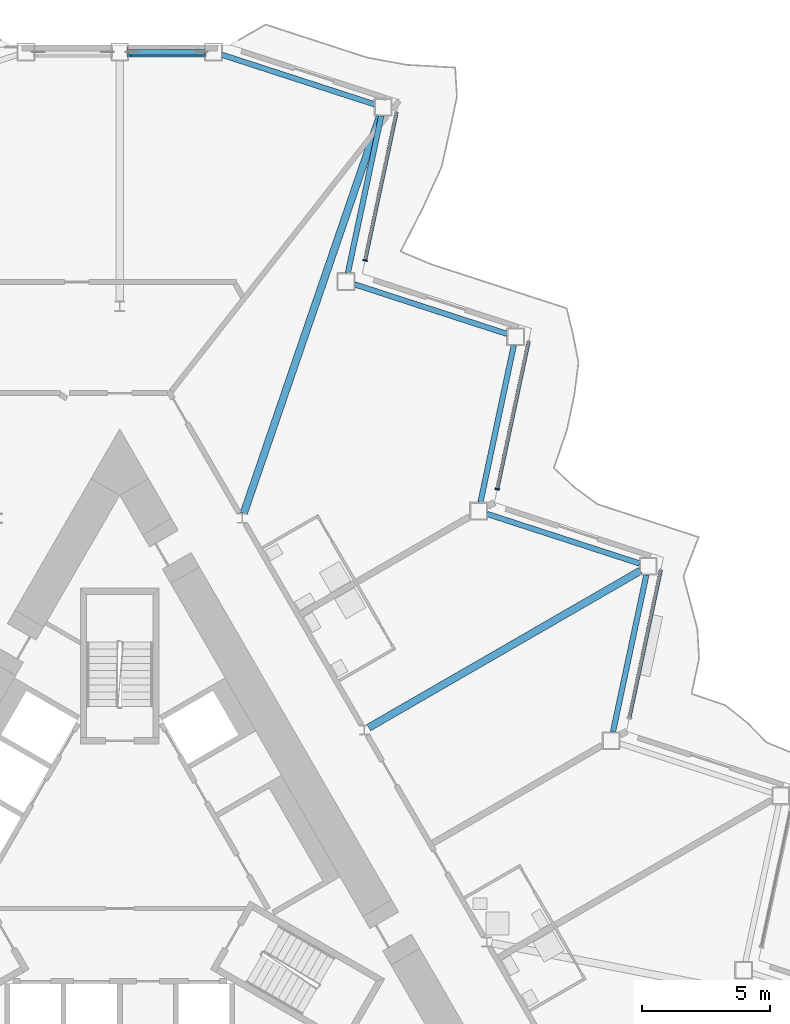
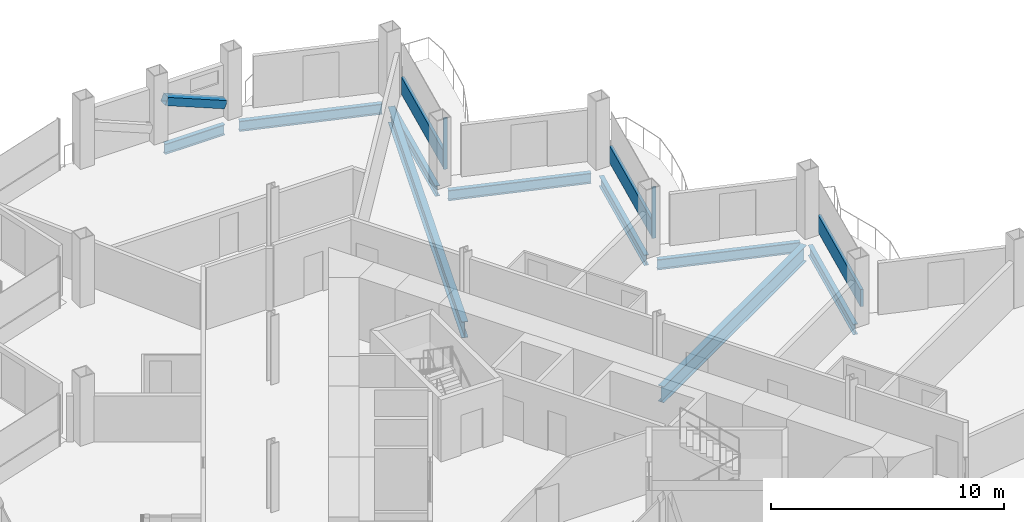
# One storey, part 9 of 24: 9 beams, 6 members, 3 elements without a shape of their own.
"""IFC4 building model written with IfcOpenShell, lengths in metres."""

import ifcopenshell
import ifcopenshell.guid

model = None  # the IFC model being written
_history = None  # IfcOwnerHistory: only IFC2X3 demands one
_inside = {}  # id of a spatial element -> (the spatial element, [elements in it])
_under = {}  # id of a project, library or spatial element -> (it, [spatial elements below it])
_declared = {}  # id of a project -> (the project, [libraries it declares])
_typed = {}  # id of a type object -> (the type object, [elements of that type])
_made_of = {}  # id of a material, layer set ... -> (it, [elements and type objects made of it])


def new_model(schema):
    """Start an empty IFC model of exactly this schema.

    Asked for "IFC4X3", IfcOpenShell would pick the latest addendum, in which some entities
    have other attributes; the version numbers below select the first issue.
    IFC2X3 requires an IfcOwnerHistory on every rooted entity: one is made here for all.
    """
    global model, _history
    if schema == "IFC4X3":
        model = ifcopenshell.file(schema_version=(4, 3, 0, 0))
    else:
        model = ifcopenshell.file(schema=schema)
    _inside.clear()
    _under.clear()
    _declared.clear()
    _typed.clear()
    _made_of.clear()
    _history = None
    if model.schema == "IFC2X3":
        org = make("IfcOrganization", Name="unknown")
        user = make(
            "IfcPersonAndOrganization",
            ThePerson=make("IfcPerson", FamilyName="unknown"),
            TheOrganization=org,
        )
        app = make(
            "IfcApplication",
            ApplicationDeveloper=org,
            Version="unknown",
            ApplicationFullName="unknown",
            ApplicationIdentifier="unknown",
        )
        _history = make(
            "IfcOwnerHistory",
            OwningUser=user,
            OwningApplication=app,
            ChangeAction="ADDED",
            CreationDate=0,
        )
    return model


def make(cls, **values):
    """One entity of the class cls with the attributes given. An attribute that is None is left unset."""
    return model.create_entity(
        cls, **{name: value for name, value in values.items() if value is not None}
    )


def rooted(cls, **values):
    """An entity with a GlobalId (a new one), such as an element, a storey or a relation."""
    return make(cls, GlobalId=ifcopenshell.guid.new(), OwnerHistory=_history, **values)


def si_unit(unit_type, name, prefix=None):
    """IfcSIUnit, for example si_unit("LENGTHUNIT", "METRE", prefix="MILLI")."""
    return make("IfcSIUnit", UnitType=unit_type, Prefix=prefix, Name=name)


def assignment(units):
    """IfcUnitAssignment: the units of a project."""
    return None if units is None else make("IfcUnitAssignment", Units=units)


def point(xyz):
    """IfcCartesianPoint."""
    return None if xyz is None else make("IfcCartesianPoint", Coordinates=xyz)


def direction(xyz):
    """IfcDirection."""
    return None if xyz is None else make("IfcDirection", DirectionRatios=xyz)


def frame(location, z_axis=None, x_axis=None):
    """IfcAxis2Placement3D, a coordinate frame: its origin and axes. An axis left out is left unset."""
    return make(
        "IfcAxis2Placement3D",
        Location=point(location),
        Axis=direction(z_axis),
        RefDirection=direction(x_axis),
    )


def frame_2d(location, x_axis=None):
    """IfcAxis2Placement2D, a coordinate frame in the plane: its origin and x axis."""
    return make(
        "IfcAxis2Placement2D", Location=point(location), RefDirection=direction(x_axis)
    )


def origin():
    """The frame at (0, 0, 0) with its axes left unset."""
    return frame((0.0, 0.0, 0.0))


def origin_2d():
    """The frame at (0, 0) in the plane with its x axis left unset."""
    return frame_2d((0.0, 0.0))


def place(relative_to, where):
    """IfcLocalPlacement: puts the frame where relative to a parent placement (None: the world)."""
    return make(
        "IfcLocalPlacement", PlacementRelTo=relative_to, RelativePlacement=where
    )


def context(
    kind, dimensions, precision=None, world=None, true_north=None, identifier=None
):
    """IfcGeometricRepresentationContext, for example the 3D "Model" context."""
    return make(
        "IfcGeometricRepresentationContext",
        ContextIdentifier=identifier,
        ContextType=kind,
        CoordinateSpaceDimension=dimensions,
        Precision=precision,
        WorldCoordinateSystem=world,
        TrueNorth=true_north,
    )


def subcontext(parent, identifier, kind, view, scale=None):
    """IfcGeometricRepresentationSubContext, for example "Body" below "Model"."""
    return make(
        "IfcGeometricRepresentationSubContext",
        ContextIdentifier=identifier,
        ContextType=kind,
        ParentContext=parent,
        TargetScale=scale,
        TargetView=view,
    )


def project(units=None, contexts=None):
    """IfcProject with its units and contexts."""
    return rooted(
        "IfcProject",
        Name="project",
        RepresentationContexts=contexts,
        UnitsInContext=assignment(units),
    )


def spatial(cls, under=None, at=None, **own):
    """A site, building, storey or space (cls), placed at a placement, below another one or the project."""
    s = rooted(cls, ObjectPlacement=at, **own)
    if under is not None:
        _under.setdefault(under.id(), (under, []))[1].append(s)
    return s


def profile(cls, at=None, kind="AREA", **sizes):
    """A parametric profile (cls). Its sizes go by their IFC names, for example OverallWidth=200.0."""
    return make(cls, ProfileType=kind, Position=at, **sizes)


def rectangle(**sizes):
    """IfcRectangleProfileDef."""
    return profile("IfcRectangleProfileDef", **sizes)


def hollow_rectangle(**sizes):
    """IfcRectangleHollowProfileDef."""
    return profile("IfcRectangleHollowProfileDef", **sizes)


def i_section(**sizes):
    """IfcIShapeProfileDef."""
    return profile("IfcIShapeProfileDef", **sizes)


def extrude(swept, where, along, depth):
    """IfcExtrudedAreaSolid: the profile swept, set in the frame where, extruded along a direction by depth."""
    return make(
        "IfcExtrudedAreaSolid",
        SweptArea=swept,
        Position=where,
        ExtrudedDirection=direction(along),
        Depth=depth,
    )


def shape(context_of_items, identifier, shape_type, items):
    """IfcShapeRepresentation: the items that make up one representation, for example the "Body"."""
    return make(
        "IfcShapeRepresentation",
        ContextOfItems=context_of_items,
        RepresentationIdentifier=identifier,
        RepresentationType=shape_type,
        Items=items,
    )


def material(Name=None, Category=None):
    """IfcMaterial."""
    return make("IfcMaterial", Name=Name, Category=Category)


def layer(
    of_material, thickness, ventilated=None, Name=None, Category=None, Priority=None
):
    """IfcMaterialLayer: one layer of a wall or slab, of a material (None: an air gap)."""
    return make(
        "IfcMaterialLayer",
        Material=of_material,
        LayerThickness=thickness,
        IsVentilated=ventilated,
        Name=Name,
        Category=Category,
        Priority=Priority,
    )


def layer_set(layers, Name=None):
    """IfcMaterialLayerSet."""
    return make("IfcMaterialLayerSet", MaterialLayers=layers, LayerSetName=Name)


def material_profile(
    of_material, cross_section, Name=None, Category=None, Priority=None
):
    """IfcMaterialProfile: a cross section and its material."""
    return make(
        "IfcMaterialProfile",
        Name=Name,
        Material=of_material,
        Profile=cross_section,
        Priority=Priority,
        Category=Category,
    )


def profile_set(profiles, Name=None, composite=None):
    """IfcMaterialProfileSet."""
    return make(
        "IfcMaterialProfileSet",
        Name=Name,
        MaterialProfiles=profiles,
        CompositeProfile=composite,
    )


def made_of(thing, what):
    """Note that an element or type object is made of a material, layer set ...; save() writes the relation."""
    if what is not None:
        _made_of.setdefault(what.id(), (what, []))[1].append(thing)
    return thing


def type_object(cls, material=None, **own):
    """A type object (cls), such as IfcWallType, which elements share."""
    return made_of(rooted(cls, **own), material)


def element(
    cls,
    number,
    at=None,
    inside=None,
    cuts=None,
    type_object=None,
    material=None,
    context=None,
    identifier="Body",
    shape_type=None,
    held_by="IfcProductDefinitionShape",
    body=None,
    shapes=None,
    **own,
):
    """One element of the class cls, such as IfcWall. Its Tag is "e" and its number.

    at: its placement. inside: the storey or other place that contains it. cuts: it is an
    opening in that element (IfcRelVoidsElement). A single representation is given by context,
    identifier, shape_type and body (its items); several are given by shapes. held_by: the class
    of the entity that holds the representations. save() writes the other relations.
    """
    e = rooted(cls, Tag="e%d" % number, ObjectPlacement=at, **own)
    if body is not None:
        shapes = [shape(context, identifier, shape_type, body)]
    if shapes is not None:
        e.Representation = make(held_by, Representations=shapes)
    if inside is not None:
        _inside.setdefault(inside.id(), (inside, []))[1].append(e)
    if cuts is not None:
        rooted(
            "IfcRelVoidsElement", RelatingBuildingElement=cuts, RelatedOpeningElement=e
        )
    if type_object is not None:
        _typed.setdefault(type_object.id(), (type_object, []))[1].append(e)
    return made_of(e, material)


def aggregate(whole, parts):
    """IfcRelAggregates: a whole, such as a stair, and the parts it consists of."""
    return rooted("IfcRelAggregates", RelatingObject=whole, RelatedObjects=parts)


def save(model, path):
    """Write the relations noted so far, then the file.

    IfcRelAggregates (storeys below a building ...), IfcRelContainedInSpatialStructure (elements
    in a storey), IfcRelDefinesByType, IfcRelAssociatesMaterial and IfcRelDeclares: one each for
    every whole, place, type object, material and project.
    """
    for whole, parts in _under.values():
        aggregate(whole, parts)
    for where, things in _inside.values():
        rooted(
            "IfcRelContainedInSpatialStructure",
            RelatedElements=things,
            RelatingStructure=where,
        )
    for kind, things in _typed.values():
        rooted("IfcRelDefinesByType", RelatedObjects=things, RelatingType=kind)
    for what, things in _made_of.values():
        rooted("IfcRelAssociatesMaterial", RelatedObjects=things, RelatingMaterial=what)
    for by, libraries in _declared.values():
        rooted("IfcRelDeclares", RelatingContext=by, RelatedDefinitions=libraries)
    model.write(path)


model = new_model("IFC4")

# Units and contexts
model_context = context("Model", 3, precision=1e-05, world=origin(), true_north=direction((0.0, 1.0)))
body_context = subcontext(model_context, "Body", "Model", "MODEL_VIEW")
ifc_project = project(units=[si_unit("LENGTHUNIT", "METRE"), si_unit("AREAUNIT", "SQUARE_METRE"), si_unit("VOLUMEUNIT", "CUBIC_METRE"), si_unit("PLANEANGLEUNIT", "RADIAN"), si_unit("MASSUNIT", "GRAM", prefix="KILO")], contexts=[model_context])

# Site, building, storey
site_placement = place(None, origin())
site = spatial("IfcSite", under=ifc_project, at=site_placement, CompositionType="ELEMENT")
building_placement = place(site_placement, origin())
building = spatial("IfcBuilding", under=site, at=building_placement, Name="Cormorant Prow Tower", CompositionType="ELEMENT")
storey_placement = place(building_placement, frame((0.0, 0.0, 234.60009765625)))
storey = spatial("IfcBuildingStorey", under=building, at=storey_placement, Name="L51", CompositionType="ELEMENT", Elevation=234.60009765625)

# Member
ifc_material_1 = material(Name="Structural steel ASTM A500 Gr C", Category="steel")
ifc_material_profile_1 = material_profile(ifc_material_1, hollow_rectangle(XDim=0.406494140625, YDim=0.406494140625, WallThickness=0.01171875, at=origin_2d()), Name="HSS16x16x1/2")
ifc_profile_set_1 = profile_set([ifc_material_profile_1], Name="Structural steel ASTM A500 Gr C")
member_type_1 = type_object("IfcMemberType", Name="Chamfer brace HSS16x16x1/2", PredefinedType="BRACE", material=ifc_profile_set_1)
member_1_placement = place(storey_placement, frame((3.3046875, 32.073486328125, 0.74951171875), z_axis=(-0.925591042089, 0.0, 0.37852506232), x_axis=(0.0, -1.0, 0.0)))
element("IfcMember", 1, at=member_1_placement, inside=storey, type_object=member_type_1, Name="Chamfer brace BR2 at N00 L51", PredefinedType="BRACE", context=body_context, shape_type="SweptSolid", body=[
    extrude(hollow_rectangle(XDim=0.406494140625, YDim=0.406494140625, WallThickness=0.01171875, at=origin_2d()), origin(), (0.0, 0.0, 1.0), 3.17529296875),
])

# Curtain wall, member
ifc_material_2 = material(Name="Aluminium 6063-T6", Category="aluminium")
ifc_layer = layer(ifc_material_2, 0.179931640625)
ifc_layer_set = layer_set([ifc_layer], Name="Aluminium 6063-T6")
curtain_wall_type = type_object("IfcCurtainWallType", Name="Hotel unitised curtain wall 180", PredefinedType="NOTDEFINED", material=ifc_layer_set)
curtain_wall_1_placement = place(storey_placement, origin())
curtain_wall_1 = element("IfcCurtainWall", 2, at=curtain_wall_1_placement, inside=storey, type_object=curtain_wall_type, Name="Hotel curtain wall ENE06", PredefinedType="NOTDEFINED")
ifc_material_3 = material(Name="Aluminium 6063-T6", Category="aluminium")
ifc_material_profile_2 = material_profile(ifc_material_3, rectangle(XDim=0.179931640625, YDim=0.06005859375, at=origin_2d()), Name="Hotel mullion 60x180")
ifc_profile_set_2 = profile_set([ifc_material_profile_2], Name="Aluminium 6063-T6")
member_type_2 = type_object("IfcMemberType", Name="Hotel mullion 60x180", PredefinedType="MULLION", material=ifc_profile_set_2)
member_2_placement = place(storey_placement, frame((14.778076171875, 14.959716796875, 0.0), z_axis=(0.0, 0.0, 1.0), x_axis=(-0.978147574806, 0.207911812796, 0.0)))
member_2 = element("IfcMember", 3, at=member_2_placement, type_object=member_type_2, Name="Hotel mullion ENE06", PredefinedType="MULLION", context=body_context, shape_type="SweptSolid", body=[
    extrude(rectangle(XDim=0.179931640625, YDim=0.06005859375, at=origin_2d()), origin(), (0.0, 0.0, 1.0), 2.70068359375),
])

curtain_wall_2_placement = place(storey_placement, origin())
curtain_wall_2 = element("IfcCurtainWall", 4, at=curtain_wall_2_placement, inside=storey, type_object=curtain_wall_type, Name="Hotel curtain wall ENE08", PredefinedType="NOTDEFINED")
member_3_placement = place(storey_placement, frame((9.606201171875, 23.917724609375, 0.0), z_axis=(0.0, 0.0, 1.0), x_axis=(-0.978147610241, 0.207911646089, 0.0)))
member_3 = element("IfcMember", 5, at=member_3_placement, type_object=member_type_2, Name="Hotel mullion ENE08", PredefinedType="MULLION", context=body_context, shape_type="SweptSolid", body=[
    extrude(rectangle(XDim=0.179931640625, YDim=0.06005859375, at=origin_2d()), origin(), (0.0, 0.0, 1.0), 2.70068359375),
])

curtain_wall_3_placement = place(storey_placement, origin())
curtain_wall_3 = element("IfcCurtainWall", 6, at=curtain_wall_3_placement, inside=storey, type_object=curtain_wall_type, Name="Hotel curtain wall ENE04", PredefinedType="NOTDEFINED")
ifc_material_4 = material(Name="Terracotta", Category="masonry")
ifc_material_profile_3 = material_profile(ifc_material_4, rectangle(XDim=0.139892578125, YDim=0.89990234375, at=origin_2d()), Name="Hotel terracotta spandrel rail 140x900")
ifc_profile_set_3 = profile_set([ifc_material_profile_3], Name="Terracotta")
member_type_3 = type_object("IfcMemberType", Name="Hotel terracotta spandrel rail 140x900", PredefinedType="USERDEFINED", material=ifc_profile_set_3)
member_4_placement = place(storey_placement, frame((19.956298828125, 6.03125, 0.449951171875), z_axis=(0.207900345408, 0.978150012206, 0.0), x_axis=(-0.978150012206, 0.207900345408, 0.0)))
member_4 = element("IfcMember", 7, at=member_4_placement, type_object=member_type_3, Name="Hotel spandrel rail ENE04", ObjectType="TRANSOM", PredefinedType="USERDEFINED", context=body_context, shape_type="SweptSolid", body=[
    extrude(rectangle(XDim=0.139892578125, YDim=0.89990234375, at=origin_2d()), origin(), (0.0, 0.0, 1.0), 5.8974609375),
])
aggregate(curtain_wall_3, [member_4])

# Member
member_5_placement = place(storey_placement, frame((14.784423828125, 14.9892578125, 0.449951171875), z_axis=(0.207900345408, 0.978150012206, 0.0), x_axis=(-0.978150012206, 0.207900345408, 0.0)))
member_5 = element("IfcMember", 8, at=member_5_placement, type_object=member_type_3, Name="Hotel spandrel rail ENE06", ObjectType="TRANSOM", PredefinedType="USERDEFINED", context=body_context, shape_type="SweptSolid", body=[
    extrude(rectangle(XDim=0.139892578125, YDim=0.89990234375, at=origin_2d()), origin(), (0.0, 0.0, 1.0), 5.8974609375),
])

aggregate(curtain_wall_1, [member_2, member_5])

member_6_placement = place(storey_placement, frame((9.612548828125, 23.947265625, 0.449951171875), z_axis=(0.207900345408, 0.978150012206, 0.0), x_axis=(-0.978150012206, 0.207900345408, 0.0)))
member_6 = element("IfcMember", 9, at=member_6_placement, type_object=member_type_3, Name="Hotel spandrel rail ENE08", ObjectType="TRANSOM", PredefinedType="USERDEFINED", context=body_context, shape_type="SweptSolid", body=[
    extrude(rectangle(XDim=0.139892578125, YDim=0.89990234375, at=origin_2d()), origin(), (0.0, 0.0, 1.0), 5.8974609375),
])

aggregate(curtain_wall_2, [member_3, member_6])

# Beams
ifc_material_5 = material(Name="Structural steel ASTM A992 Gr 50", Category="steel")
ifc_material_profile_4 = material_profile(ifc_material_5, i_section(OverallWidth=0.29296875, OverallDepth=0.845703125, WebThickness=0.015380859375, FlangeThickness=0.0244140625, at=origin_2d()), Name="W33x141")
ifc_profile_set_4 = profile_set([ifc_material_profile_4], Name="Structural steel ASTM A992 Gr 50")
beam_type_1 = type_object("IfcBeamType", Name="Radial floor beam W33x141", PredefinedType="BEAM", material=ifc_profile_set_4)
beam_1_placement = place(storey_placement, frame((9.751220703125, 5.6298828125, -0.77294921875), z_axis=(0.866021995826, 0.500005902711, 0.0), x_axis=(-0.500005902711, 0.866021995826, 0.0)))
element("IfcBeam", 10, at=beam_1_placement, inside=storey, type_object=beam_type_1, Name="Radial floor beam FB2 11 L51", PredefinedType="BEAM", context=body_context, shape_type="SweptSolid", body=[
    extrude(i_section(OverallWidth=0.29296875, OverallDepth=0.845703125, WebThickness=0.015380859375, FlangeThickness=0.0244140625, at=origin_2d()), origin(), (0.0, 0.0, 1.0), 12.277099609375),
])
beam_2_placement = place(storey_placement, frame((4.85400390625, 14.013916015625, -0.77294921875), z_axis=(0.324535507117, 0.945873514071, 0.0), x_axis=(-0.945873514071, 0.324535507117, 0.0)))
element("IfcBeam", 11, at=beam_2_placement, inside=storey, type_object=beam_type_1, Name="Radial floor beam FB2 12 L51", PredefinedType="BEAM", context=body_context, shape_type="SweptSolid", body=[
    extrude(i_section(OverallWidth=0.29296875, OverallDepth=0.845703125, WebThickness=0.015380859375, FlangeThickness=0.0244140625, at=origin_2d()), origin(), (0.0, 0.0, 1.0), 16.462158203125),
])
ifc_material_6 = material(Name="Structural steel ASTM A992 Gr 50", Category="steel")
ifc_material_profile_5 = material_profile(ifc_material_6, i_section(OverallWidth=0.2138671875, OverallDepth=0.549072265625, WebThickness=0.0146484375, FlangeThickness=0.023681640625, at=origin_2d()), Name="W21x93")
ifc_profile_set_5 = profile_set([ifc_material_profile_5], Name="Structural steel ASTM A992 Gr 50")
beam_type_2 = type_object("IfcBeamType", Name="Spandrel beam W21x93", PredefinedType="SPANDREL", material=ifc_profile_set_5)
beam_3_placement = place(storey_placement, frame((19.307861328125, 5.456787109375, -0.624755859375), z_axis=(0.207933593793, 0.978142944856, 0.0), x_axis=(-0.978142944856, 0.207933593793, 0.0)))
element("IfcBeam", 12, at=beam_3_placement, inside=storey, type_object=beam_type_2, Name="Spandrel beam SB2 ENE04-ENE05 L51", PredefinedType="SPANDREL", context=body_context, shape_type="SweptSolid", body=[
    extrude(i_section(OverallWidth=0.2138671875, OverallDepth=0.549072265625, WebThickness=0.0146484375, FlangeThickness=0.023681640625, at=origin_2d()), origin(), (0.0, 0.0, 1.0), 6.281494140625),
])
beam_4_placement = place(storey_placement, frame((20.353759765625, 12.051513671875, -0.624755859375), z_axis=(-0.951050348284, 0.309035976918, 0.0), x_axis=(-0.309035976918, -0.951050348284, 0.0)))
element("IfcBeam", 13, at=beam_4_placement, inside=storey, type_object=beam_type_2, Name="Spandrel beam SB2 ENE05-ENE06 L51", PredefinedType="SPANDREL", context=body_context, shape_type="SweptSolid", body=[
    extrude(i_section(OverallWidth=0.2138671875, OverallDepth=0.549072265625, WebThickness=0.0146484375, FlangeThickness=0.023681640625, at=origin_2d()), origin(), (0.0, 0.0, 1.0), 6.28125),
])
beam_5_placement = place(storey_placement, frame((14.11962890625, 14.443115234375, -0.624755859375), z_axis=(0.207933593793, 0.978142944856, 0.0), x_axis=(-0.978142944856, 0.207933593793, 0.0)))
element("IfcBeam", 14, at=beam_5_placement, inside=storey, type_object=beam_type_2, Name="Spandrel beam SB2 ENE06-ENE07 L51", PredefinedType="SPANDREL", context=body_context, shape_type="SweptSolid", body=[
    extrude(i_section(OverallWidth=0.2138671875, OverallDepth=0.549072265625, WebThickness=0.0146484375, FlangeThickness=0.023681640625, at=origin_2d()), origin(), (0.0, 0.0, 1.0), 6.281494140625),
])
beam_6_placement = place(storey_placement, frame((15.16552734375, 21.037841796875, -0.624755859375), z_axis=(-0.951050348284, 0.309035976918, 0.0), x_axis=(-0.309035976918, -0.951050348284, 0.0)))
element("IfcBeam", 15, at=beam_6_placement, inside=storey, type_object=beam_type_2, Name="Spandrel beam SB2 ENE07-ENE08 L51", PredefinedType="SPANDREL", context=body_context, shape_type="SweptSolid", body=[
    extrude(i_section(OverallWidth=0.2138671875, OverallDepth=0.549072265625, WebThickness=0.0146484375, FlangeThickness=0.023681640625, at=origin_2d()), origin(), (0.0, 0.0, 1.0), 6.28125),
])
for number, where, z_axis, x_axis, name in (
    (16, (8.931396484375, 23.429443359375, -0.624755859375), (0.207896407679, 0.97815084914, 0.0), (-0.97815084914, 0.207896407679, 0.0), "Spandrel beam SB2 ENE08-ENE09 L51"),
    (17, (9.977294921875, 30.024169921875, -0.624755859375), (-0.951054060056, 0.309024553801, 0.0), (-0.309024553801, -0.951054060056, 0.0), "Spandrel beam SB2 ENE09-N00 L51"),
):
    element("IfcBeam", number, at=place(storey_placement, frame(where, z_axis=z_axis, x_axis=x_axis)), inside=storey, type_object=beam_type_2, Name=name, PredefinedType="SPANDREL", context=body_context, shape_type="SweptSolid", body=[
        extrude(i_section(OverallWidth=0.2138671875, OverallDepth=0.549072265625, WebThickness=0.0146484375, FlangeThickness=0.023681640625, at=origin_2d()), origin(), (0.0, 0.0, 1.0), 6.281494140625),
    ])
beam_7_placement = place(storey_placement, frame((3.3203125, 32.073486328125, -0.624755859375), z_axis=(-1.0, 0.0, 0.0), x_axis=(0.0, -1.0, 0.0)))
element("IfcBeam", 18, at=beam_7_placement, inside=storey, type_object=beam_type_2, Name="Spandrel beam SB2 N00-N01 L51", PredefinedType="SPANDREL", context=body_context, shape_type="SweptSolid", body=[
    extrude(i_section(OverallWidth=0.2138671875, OverallDepth=0.549072265625, WebThickness=0.0146484375, FlangeThickness=0.023681640625, at=origin_2d()), origin(), (0.0, 0.0, 1.0), 2.97021484375),
])

save(model, "model.ifc")
